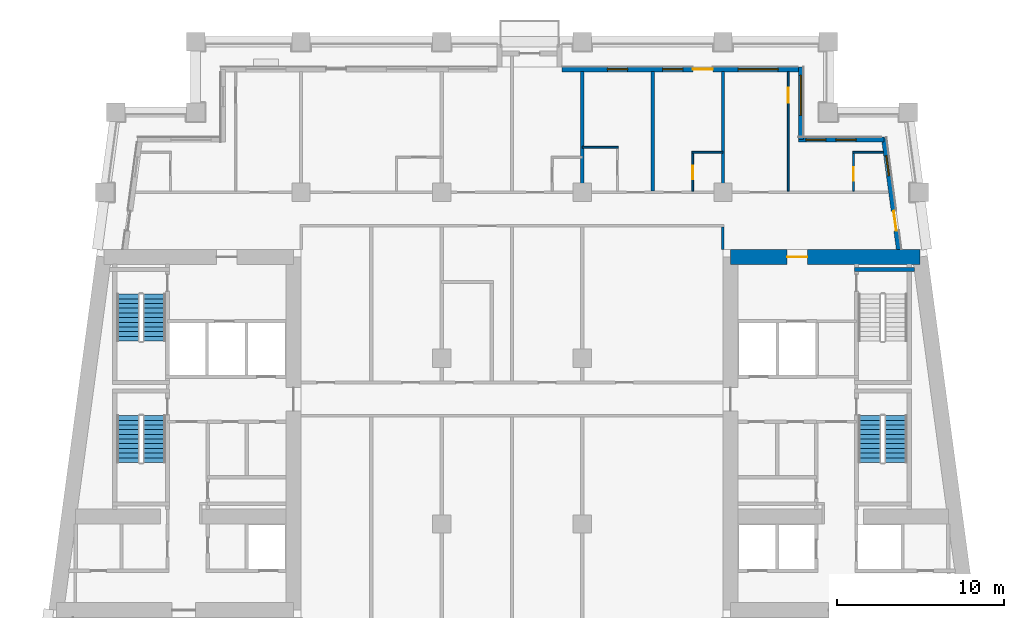
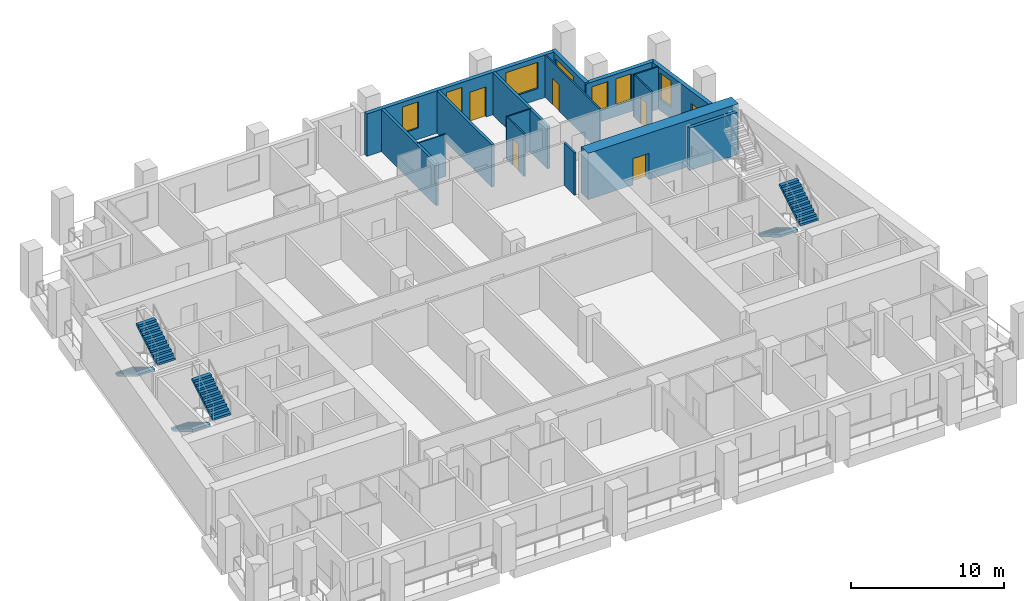
# One storey, part 8 of 14: 16 walls, 7 windows, 6 doors, 6 stair flights, 13 openings, 3 elements without a shape of their own.
"""IFC4 building model written with IfcOpenShell, lengths in metres."""

from ifc_helpers import new_model, si_unit, direction, frame, frame_2d, origin, place, context, subcontext, project, spatial, polyline, rectangle, outline, extrude, material, layer, layer_set, type_object, element, fill, aggregate, save


model = new_model("IFC4")

# Units and contexts
model_context = context("Model", 3, precision=1e-05, world=origin(), true_north=direction((0.0, 1.0)))
body_context = subcontext(model_context, "Body", "Model", "MODEL_VIEW")
ifc_project = project(units=[si_unit("LENGTHUNIT", "METRE"), si_unit("AREAUNIT", "SQUARE_METRE"), si_unit("VOLUMEUNIT", "CUBIC_METRE"), si_unit("PLANEANGLEUNIT", "RADIAN"), si_unit("MASSUNIT", "GRAM", prefix="KILO")], contexts=[model_context])

# Site, building, storey
site_placement = place(None, origin())
site = spatial("IfcSite", under=ifc_project, at=site_placement, CompositionType="ELEMENT")
building_placement = place(site_placement, origin())
building = spatial("IfcBuilding", under=site, at=building_placement, Name="Candeia Pilgrim Tower and Theatre", CompositionType="ELEMENT")
storey_placement = place(building_placement, frame((0.0, 0.0, 173.699951171875)))
storey = spatial("IfcBuildingStorey", under=building, at=storey_placement, Name="L41", CompositionType="ELEMENT", Elevation=173.699951171875)

# Wall, opening, door
ifc_material_1 = material(Name="Concrete C60/75", Category="concrete")
ifc_layer_1 = layer(ifc_material_1, 0.89990234375)
ifc_layer_set_1 = layer_set([ifc_layer_1], Name="Core wall 900 C60/75")
wall_type_1 = type_object("IfcWallType", Name="Core wall 900 C60/75", PredefinedType="SHEAR", material=ifc_layer_set_1)
wall_1_placement = place(storey_placement, frame((126.449951171875, 131.949951171875, 0.0), z_axis=(0.0, 0.0, 1.0), x_axis=(1.0, 0.0, 0.0)))
wall_1 = element("IfcWall", 1, at=wall_1_placement, inside=storey, type_object=wall_type_1, Name="Core wall E1", PredefinedType="SHEAR", context=body_context, shape_type="SweptSolid", body=[
    extrude(rectangle(XDim=11.32568359375, YDim=0.89990234375, at=frame_2d((5.662841796875, 0.0))), origin(), (0.0, 0.0, 1.0), 3.699951171875),
])
opening_1_placement = place(wall_1_placement, frame((3.386474609375, 0.0, 0.0)))
opening_1 = element("IfcOpeningElement", 2, at=opening_1_placement, cuts=wall_1, Name="Opening L41-D068", PredefinedType="OPENING", context=body_context, shape_type="SweptSolid", body=[
    extrude(rectangle(XDim=1.199951171875, YDim=2.10009765625, at=frame_2d((0.60009765625, 1.050048828125))), frame((0.0, 0.4599609375, 0.0), z_axis=(0.0, -1.0, 0.0), x_axis=(1.0, 0.0, 0.0)), (0.0, 0.0, 1.0), 0.919921875),
])
ifc_material_2 = material(Name="Steel fire door set", Category="steel")
door_type_1 = type_object("IfcDoorType", Name="D-1200-FD60", OperationType="NOTDEFINED", PredefinedType="DOOR", material=ifc_material_2)
door_1_placement = place(opening_1_placement, origin())
door_1 = element("IfcDoor", 3, at=door_1_placement, inside=storey, type_object=door_type_1, Name="Door L41-D068", OperationType="SINGLE_SWING_LEFT", OverallHeight=2.10009765625, OverallWidth=1.199951171875, PredefinedType="DOOR", context=body_context, shape_type="SweptSolid", body=[
    extrude(rectangle(XDim=1.199951171875, YDim=2.10009765625, at=frame_2d((0.60009765625, 1.050048828125))), frame((0.0, 0.02490234375, 0.0), z_axis=(0.0, -1.0, 0.0), x_axis=(1.0, 0.0, 0.0)), (0.0, 0.0, 1.0), 0.050048828125),
])
fill(opening_1, door_1)

# Wall, openings, door, window
ifc_material_3 = material(Name="Ceramic block masonry", Category="masonry")
ifc_layer_2 = layer(ifc_material_3, 0.300048828125)
ifc_layer_set_2 = layer_set([ifc_layer_2], Name="EW1 glazing-line wall 300")
wall_type_2 = type_object("IfcWallType", Name="EW1 glazing-line wall 300", PredefinedType="SOLIDWALL", material=ifc_layer_set_2)
wall_2_placement = place(storey_placement, frame((136.50439453125, 132.39990234375, 0.0), z_axis=(0.0, 0.0, 1.0), x_axis=(-0.133399697462, 0.99106231929, 0.0)))
wall_2 = element("IfcWall", 4, at=wall_2_placement, inside=storey, type_object=wall_type_2, Name="External wall L41-3.1", PredefinedType="SOLIDWALL", context=body_context, shape_type="SweptSolid", body=[
    extrude(rectangle(XDim=6.740478515625, YDim=0.300048828125, at=frame_2d((3.3701171875, 0.0))), origin(), (0.0, 0.0, 1.0), 3.380126953125),
])
opening_2_placement = place(wall_2_placement, frame((1.115234375, 0.0, 0.0)))
opening_2 = element("IfcOpeningElement", 5, at=opening_2_placement, cuts=wall_2, Name="Opening L41-ED395", PredefinedType="OPENING", context=body_context, shape_type="SweptSolid", body=[
    extrude(rectangle(XDim=1.199951171875, YDim=2.39990234375, at=frame_2d((0.60009765625, 1.199951171875))), frame((0.0, 0.16015625, 0.0), z_axis=(0.0, -1.0, 0.0), x_axis=(1.0, 0.0, 0.0)), (0.0, 0.0, 1.0), 0.320068359375),
])
opening_3_placement = place(wall_2_placement, frame((4.435546875, 0.0, 0.89990234375)))
opening_3 = element("IfcOpeningElement", 6, at=opening_3_placement, cuts=wall_2, Name="Opening W-B", PredefinedType="OPENING", context=body_context, shape_type="SweptSolid", body=[
    extrude(rectangle(XDim=1.199951171875, YDim=2.10009765625, at=frame_2d((0.60009765625, 1.050048828125))), frame((0.0, 0.16015625, 0.0), z_axis=(0.0, -1.0, 0.0), x_axis=(1.0, 0.0, 0.0)), (0.0, 0.0, 1.0), 0.320068359375),
])
ifc_material_4 = material(Name="Aluminium framed glazed door", Category="aluminium")
door_type_2 = type_object("IfcDoorType", Name="Loggia door 1200x2400", OperationType="DOUBLE_DOOR_SINGLE_SWING", PredefinedType="DOOR", material=ifc_material_4)
door_2_placement = place(opening_2_placement, origin())
door_2 = element("IfcDoor", 7, at=door_2_placement, inside=storey, type_object=door_type_2, Name="Loggia door L41-ED395", OperationType="DOUBLE_DOOR_SINGLE_SWING", OverallHeight=2.39990234375, OverallWidth=1.199951171875, PredefinedType="DOOR", context=body_context, shape_type="SweptSolid", body=[
    extrude(rectangle(XDim=1.199951171875, YDim=2.39990234375, at=frame_2d((0.60009765625, 1.199951171875))), frame((0.0, 0.02490234375, 0.0), z_axis=(0.0, -1.0, 0.0), x_axis=(1.0, 0.0, 0.0)), (0.0, 0.0, 1.0), 0.050048828125),
])
fill(opening_2, door_2)
ifc_material_5 = material(Name="Aluminium framed double glazing", Category="aluminium")
window_type_1 = type_object("IfcWindowType", Name="W-B window 1200x2100", PartitioningType="SINGLE_PANEL", PredefinedType="WINDOW", material=ifc_material_5)
window_1_placement = place(opening_3_placement, origin())
window_1 = element("IfcWindow", 8, at=window_1_placement, inside=storey, type_object=window_type_1, Name="Window W-B L41", OverallHeight=2.10009765625, OverallWidth=1.199951171875, PartitioningType="SINGLE_PANEL", PredefinedType="WINDOW", context=body_context, shape_type="SweptSolid", body=[
    extrude(rectangle(XDim=1.199951171875, YDim=2.10009765625, at=frame_2d((0.60009765625, 1.050048828125))), frame((0.0, 0.030029296875, 0.0), z_axis=(0.0, -1.0, 0.0), x_axis=(1.0, 0.0, 0.0)), (0.0, 0.0, 1.0), 0.06005859375),
])
fill(opening_3, window_1)

# Wall, openings, windows
wall_3_placement = place(storey_placement, frame((135.62255859375, 138.949951171875, 0.0), z_axis=(0.0, 0.0, 1.0), x_axis=(-1.0, 0.0, 0.0)))
wall_3 = element("IfcWall", 9, at=wall_3_placement, inside=storey, type_object=wall_type_2, Name="External wall L41-4.0", PredefinedType="SOLIDWALL", context=body_context, shape_type="SweptSolid", body=[
    extrude(rectangle(XDim=5.12255859375, YDim=0.300048828125, at=frame_2d((2.561279296875, 0.0))), origin(), (0.0, 0.0, 1.0), 3.380126953125),
])
opening_4_placement = place(wall_3_placement, frame((1.672607421875, 0.0, 0.89990234375)))
opening_4 = element("IfcOpeningElement", 10, at=opening_4_placement, cuts=wall_3, Name="Opening W-B", PredefinedType="OPENING", context=body_context, shape_type="SweptSolid", body=[
    extrude(rectangle(XDim=1.199951171875, YDim=2.10009765625, at=frame_2d((0.60009765625, 1.050048828125))), frame((0.0, 0.16015625, 0.0), z_axis=(0.0, -1.0, 0.0), x_axis=(1.0, 0.0, 0.0)), (0.0, 0.0, 1.0), 0.320068359375),
])
opening_5_placement = place(wall_3_placement, frame((3.47265625, 0.0, 0.89990234375)))
opening_5 = element("IfcOpeningElement", 11, at=opening_5_placement, cuts=wall_3, Name="Opening W-B", PredefinedType="OPENING", context=body_context, shape_type="SweptSolid", body=[
    extrude(rectangle(XDim=1.199951171875, YDim=2.10009765625, at=frame_2d((0.60009765625, 1.050048828125))), frame((0.0, 0.16015625, 0.0), z_axis=(0.0, -1.0, 0.0), x_axis=(1.0, 0.0, 0.0)), (0.0, 0.0, 1.0), 0.320068359375),
])
window_2_placement = place(opening_4_placement, origin())
window_2 = element("IfcWindow", 12, at=window_2_placement, inside=storey, type_object=window_type_1, Name="Window W-B L41", OverallHeight=2.10009765625, OverallWidth=1.199951171875, PartitioningType="SINGLE_PANEL", PredefinedType="WINDOW", context=body_context, shape_type="SweptSolid", body=[
    extrude(rectangle(XDim=1.199951171875, YDim=2.10009765625, at=frame_2d((0.60009765625, 1.050048828125))), frame((0.0, 0.030029296875, 0.0), z_axis=(0.0, -1.0, 0.0), x_axis=(1.0, 0.0, 0.0)), (0.0, 0.0, 1.0), 0.06005859375),
])
fill(opening_4, window_2)
window_3_placement = place(opening_5_placement, origin())
window_3 = element("IfcWindow", 13, at=window_3_placement, inside=storey, type_object=window_type_1, Name="Window W-B L41", OverallHeight=2.10009765625, OverallWidth=1.199951171875, PartitioningType="SINGLE_PANEL", PredefinedType="WINDOW", context=body_context, shape_type="SweptSolid", body=[
    extrude(rectangle(XDim=1.199951171875, YDim=2.10009765625, at=frame_2d((0.60009765625, 1.050048828125))), frame((0.0, 0.030029296875, 0.0), z_axis=(0.0, -1.0, 0.0), x_axis=(1.0, 0.0, 0.0)), (0.0, 0.0, 1.0), 0.06005859375),
])
fill(opening_5, window_3)

# Wall, opening, window
wall_4_placement = place(storey_placement, frame((130.64990234375, 138.949951171875, 0.0), z_axis=(0.0, 0.0, 1.0), x_axis=(0.0, 1.0, 0.0)))
wall_4 = element("IfcWall", 14, at=wall_4_placement, inside=storey, type_object=wall_type_2, Name="External wall L41-5.0", PredefinedType="SOLIDWALL", context=body_context, shape_type="SweptSolid", body=[
    extrude(rectangle(XDim=4.35009765625, YDim=0.300048828125, at=frame_2d((2.175048828125, 0.0))), origin(), (0.0, 0.0, 1.0), 3.380126953125),
])
opening_6_placement = place(wall_4_placement, frame((1.449951171875, 0.0, 0.89990234375)))
opening_6 = element("IfcOpeningElement", 15, at=opening_6_placement, cuts=wall_4, Name="Opening W-A", PredefinedType="OPENING", context=body_context, shape_type="SweptSolid", body=[
    extrude(rectangle(XDim=2.39990234375, YDim=2.10009765625, at=frame_2d((1.199951171875, 1.050048828125))), frame((0.0, 0.16015625, 0.0), z_axis=(0.0, -1.0, 0.0), x_axis=(1.0, 0.0, 0.0)), (0.0, 0.0, 1.0), 0.320068359375),
])
window_type_2 = type_object("IfcWindowType", Name="W-A window 2400x2100", PartitioningType="DOUBLE_PANEL_VERTICAL", PredefinedType="WINDOW", material=ifc_material_5)
window_4_placement = place(opening_6_placement, origin())
window_4 = element("IfcWindow", 16, at=window_4_placement, inside=storey, type_object=window_type_2, Name="Window W-A L41", OverallHeight=2.10009765625, OverallWidth=2.39990234375, PartitioningType="SINGLE_PANEL", PredefinedType="WINDOW", context=body_context, shape_type="SweptSolid", body=[
    extrude(rectangle(XDim=2.39990234375, YDim=2.10009765625, at=frame_2d((1.199951171875, 1.050048828125))), frame((0.0, 0.030029296875, 0.0), z_axis=(0.0, -1.0, 0.0), x_axis=(1.0, 0.0, 0.0)), (0.0, 0.0, 1.0), 0.06005859375),
])
fill(opening_6, window_4)

# Wall, openings, door, windows
wall_5_placement = place(storey_placement, frame((130.64990234375, 143.14990234375, 0.0), z_axis=(0.0, 0.0, 1.0), x_axis=(-1.0, 0.0, 0.0)))
wall_5 = element("IfcWall", 17, at=wall_5_placement, inside=storey, type_object=wall_type_2, Name="External wall L41-6.0", PredefinedType="SOLIDWALL", context=body_context, shape_type="SweptSolid", body=[
    extrude(rectangle(XDim=14.25, YDim=0.300048828125, at=frame_2d((7.125, 0.0))), origin(), (0.0, 0.0, 1.0), 3.380126953125),
])
opening_7_placement = place(wall_5_placement, frame((1.35009765625, 0.0, 0.89990234375)))
opening_7 = element("IfcOpeningElement", 18, at=opening_7_placement, cuts=wall_5, Name="Opening W-A", PredefinedType="OPENING", context=body_context, shape_type="SweptSolid", body=[
    extrude(rectangle(XDim=2.39990234375, YDim=2.10009765625, at=frame_2d((1.199951171875, 1.050048828125))), frame((0.0, 0.16015625, 0.0), z_axis=(0.0, -1.0, 0.0), x_axis=(1.0, 0.0, 0.0)), (0.0, 0.0, 1.0), 0.320068359375),
])
opening_8_placement = place(wall_5_placement, frame((5.25, 0.0, 0.0)))
opening_8 = element("IfcOpeningElement", 19, at=opening_8_placement, cuts=wall_5, Name="Opening L41-ED396", PredefinedType="OPENING", context=body_context, shape_type="SweptSolid", body=[
    extrude(rectangle(XDim=1.199951171875, YDim=2.39990234375, at=frame_2d((0.60009765625, 1.199951171875))), frame((0.0, 0.16015625, 0.0), z_axis=(0.0, -1.0, 0.0), x_axis=(1.0, 0.0, 0.0)), (0.0, 0.0, 1.0), 0.320068359375),
])
opening_9_placement = place(wall_5_placement, frame((7.050048828125, 0.0, 0.89990234375)))
opening_9 = element("IfcOpeningElement", 20, at=opening_9_placement, cuts=wall_5, Name="Opening W-B", PredefinedType="OPENING", context=body_context, shape_type="SweptSolid", body=[
    extrude(rectangle(XDim=1.199951171875, YDim=2.10009765625, at=frame_2d((0.60009765625, 1.050048828125))), frame((0.0, 0.16015625, 0.0), z_axis=(0.0, -1.0, 0.0), x_axis=(1.0, 0.0, 0.0)), (0.0, 0.0, 1.0), 0.320068359375),
])
opening_10_placement = place(wall_5_placement, frame((10.35009765625, 0.0, 0.89990234375)))
opening_10 = element("IfcOpeningElement", 21, at=opening_10_placement, cuts=wall_5, Name="Opening W-B", PredefinedType="OPENING", context=body_context, shape_type="SweptSolid", body=[
    extrude(rectangle(XDim=1.199951171875, YDim=2.10009765625, at=frame_2d((0.60009765625, 1.050048828125))), frame((0.0, 0.16015625, 0.0), z_axis=(0.0, -1.0, 0.0), x_axis=(1.0, 0.0, 0.0)), (0.0, 0.0, 1.0), 0.320068359375),
])
door_3_placement = place(opening_8_placement, origin())
door_3 = element("IfcDoor", 22, at=door_3_placement, inside=storey, type_object=door_type_2, Name="Loggia door L41-ED396", OperationType="DOUBLE_DOOR_SINGLE_SWING", OverallHeight=2.39990234375, OverallWidth=1.199951171875, PredefinedType="DOOR", context=body_context, shape_type="SweptSolid", body=[
    extrude(rectangle(XDim=1.199951171875, YDim=2.39990234375, at=frame_2d((0.60009765625, 1.199951171875))), frame((0.0, 0.02490234375, 0.0), z_axis=(0.0, -1.0, 0.0), x_axis=(1.0, 0.0, 0.0)), (0.0, 0.0, 1.0), 0.050048828125),
])
fill(opening_8, door_3)
window_5_placement = place(opening_7_placement, origin())
window_5 = element("IfcWindow", 23, at=window_5_placement, inside=storey, type_object=window_type_2, Name="Window W-A L41", OverallHeight=2.10009765625, OverallWidth=2.39990234375, PartitioningType="SINGLE_PANEL", PredefinedType="WINDOW", context=body_context, shape_type="SweptSolid", body=[
    extrude(rectangle(XDim=2.39990234375, YDim=2.10009765625, at=frame_2d((1.199951171875, 1.050048828125))), frame((0.0, 0.030029296875, 0.0), z_axis=(0.0, -1.0, 0.0), x_axis=(1.0, 0.0, 0.0)), (0.0, 0.0, 1.0), 0.06005859375),
])
fill(opening_7, window_5)
window_6_placement = place(opening_9_placement, origin())
window_6 = element("IfcWindow", 24, at=window_6_placement, inside=storey, type_object=window_type_1, Name="Window W-B L41", OverallHeight=2.10009765625, OverallWidth=1.199951171875, PartitioningType="SINGLE_PANEL", PredefinedType="WINDOW", context=body_context, shape_type="SweptSolid", body=[
    extrude(rectangle(XDim=1.199951171875, YDim=2.10009765625, at=frame_2d((0.60009765625, 1.050048828125))), frame((0.0, 0.030029296875, 0.0), z_axis=(0.0, -1.0, 0.0), x_axis=(1.0, 0.0, 0.0)), (0.0, 0.0, 1.0), 0.06005859375),
])
fill(opening_9, window_6)
window_7_placement = place(opening_10_placement, origin())
window_7 = element("IfcWindow", 25, at=window_7_placement, inside=storey, type_object=window_type_1, Name="Window W-B L41", OverallHeight=2.10009765625, OverallWidth=1.199951171875, PartitioningType="SINGLE_PANEL", PredefinedType="WINDOW", context=body_context, shape_type="SweptSolid", body=[
    extrude(rectangle(XDim=1.199951171875, YDim=2.10009765625, at=frame_2d((0.60009765625, 1.050048828125))), frame((0.0, 0.030029296875, 0.0), z_axis=(0.0, -1.0, 0.0), x_axis=(1.0, 0.0, 0.0)), (0.0, 0.0, 1.0), 0.06005859375),
])
fill(opening_10, window_7)

# Walls
ifc_material_6 = material(Name="Gypsum board partition on steel studs", Category="steel")
ifc_layer_3 = layer(ifc_material_6, 0.10009765625)
ifc_layer_set_3 = layer_set([ifc_layer_3], Name="PW-100 room partition")
wall_type_3 = type_object("IfcWallType", Name="PW-100 room partition", PredefinedType="PARTITIONING", material=ifc_layer_set_3)
wall_6_placement = place(storey_placement, frame((124.14990234375, 138.199951171875, 0.0), z_axis=(0.0, 0.0, 1.0), x_axis=(1.0, 0.0, 0.0)))
element("IfcWall", 26, at=wall_6_placement, inside=storey, type_object=wall_type_3, Name="Room partition L41-049", PredefinedType="PARTITIONING", context=body_context, shape_type="SweptSolid", body=[
    extrude(rectangle(XDim=1.85009765625, YDim=0.10009765625, at=frame_2d((0.925048828125, 0.0))), origin(), (0.0, 0.0, 1.0), 3.380126953125),
])
wall_7_placement = place(storey_placement, frame((133.75, 138.199951171875, 0.0), z_axis=(0.0, 0.0, 1.0), x_axis=(1.0, 0.0, 0.0)))
element("IfcWall", 27, at=wall_7_placement, inside=storey, type_object=wall_type_3, Name="Room partition L41-050", PredefinedType="PARTITIONING", context=body_context, shape_type="SweptSolid", body=[
    extrude(rectangle(XDim=1.832275390625, YDim=0.10009765625, at=frame_2d((0.916015625, 0.0))), origin(), (0.0, 0.0, 1.0), 3.380126953125),
])
wall_8_placement = place(storey_placement, frame((117.60009765625, 138.5, 0.0), z_axis=(0.0, 0.0, 1.0), x_axis=(1.0, 0.0, 0.0)))
element("IfcWall", 28, at=wall_8_placement, inside=storey, type_object=wall_type_3, Name="Room partition L41-051", PredefinedType="PARTITIONING", context=body_context, shape_type="SweptSolid", body=[
    extrude(rectangle(XDim=2.14990234375, YDim=0.10009765625, at=frame_2d((1.074951171875, 0.0))), origin(), (0.0, 0.0, 1.0), 3.380126953125),
])

# Wall, opening, door
wall_9_placement = place(storey_placement, frame((124.199951171875, 135.875, 0.0), z_axis=(0.0, 0.0, 1.0), x_axis=(0.0, 1.0, 0.0)))
wall_9 = element("IfcWall", 29, at=wall_9_placement, inside=storey, type_object=wall_type_3, Name="Room partition L41-104", PredefinedType="PARTITIONING", context=body_context, shape_type="SweptSolid", body=[
    extrude(rectangle(XDim=2.27490234375, YDim=0.10009765625, at=frame_2d((1.137451171875, 0.0))), origin(), (0.0, 0.0, 1.0), 3.380126953125),
])
opening_11_placement = place(wall_9_placement, frame((0.72509765625, 0.0, 0.0)))
opening_11 = element("IfcOpeningElement", 30, at=opening_11_placement, cuts=wall_9, Name="Opening L41-D049", PredefinedType="OPENING", context=body_context, shape_type="SweptSolid", body=[
    extrude(rectangle(XDim=0.800048828125, YDim=2.10009765625, at=frame_2d((0.39990234375, 1.050048828125))), frame((0.0, 0.06005859375, 0.0), z_axis=(0.0, -1.0, 0.0), x_axis=(1.0, 0.0, 0.0)), (0.0, 0.0, 1.0), 0.1201171875),
])
ifc_material_7 = material(Name="Timber door leaf", Category="wood")
door_type_3 = type_object("IfcDoorType", Name="D-800", OperationType="NOTDEFINED", PredefinedType="DOOR", material=ifc_material_7)
door_4_placement = place(opening_11_placement, origin())
door_4 = element("IfcDoor", 31, at=door_4_placement, inside=storey, type_object=door_type_3, Name="Door L41-D049", OperationType="SINGLE_SWING_RIGHT", OverallHeight=2.10009765625, OverallWidth=0.800048828125, PredefinedType="DOOR", context=body_context, shape_type="SweptSolid", body=[
    extrude(rectangle(XDim=0.800048828125, YDim=2.10009765625, at=frame_2d((0.39990234375, 1.050048828125))), frame((0.0, 0.02490234375, 0.0), z_axis=(0.0, -1.0, 0.0), x_axis=(1.0, 0.0, 0.0)), (0.0, 0.0, 1.0), 0.050048828125),
])
fill(opening_11, door_4)

wall_10_placement = place(storey_placement, frame((129.89990234375, 135.875, 0.0), z_axis=(0.0, 0.0, 1.0), x_axis=(0.0, 1.0, 0.0)))
wall_10 = element("IfcWall", 32, at=wall_10_placement, inside=storey, type_object=wall_type_3, Name="Room partition L41-113", PredefinedType="PARTITIONING", context=body_context, shape_type="SweptSolid", body=[
    extrude(rectangle(XDim=7.135009765625, YDim=0.10009765625, at=frame_2d((3.5673828125, 0.0))), origin(), (0.0, 0.0, 1.0), 3.380126953125),
])
opening_12_placement = place(wall_10_placement, frame((5.2900390625, 0.0, 0.0)))
opening_12 = element("IfcOpeningElement", 33, at=opening_12_placement, cuts=wall_10, Name="Opening L41-D051", PredefinedType="OPENING", context=body_context, shape_type="SweptSolid", body=[
    extrude(rectangle(XDim=0.89990234375, YDim=2.10009765625, at=frame_2d((0.449951171875, 1.050048828125))), frame((0.0, 0.06005859375, 0.0), z_axis=(0.0, -1.0, 0.0), x_axis=(1.0, 0.0, 0.0)), (0.0, 0.0, 1.0), 0.1201171875),
])
door_type_4 = type_object("IfcDoorType", Name="D-900", OperationType="NOTDEFINED", PredefinedType="DOOR", material=ifc_material_7)
door_5_placement = place(opening_12_placement, origin())
door_5 = element("IfcDoor", 34, at=door_5_placement, inside=storey, type_object=door_type_4, Name="Door L41-D051", OperationType="SINGLE_SWING_RIGHT", OverallHeight=2.10009765625, OverallWidth=0.89990234375, PredefinedType="DOOR", context=body_context, shape_type="SweptSolid", body=[
    extrude(rectangle(XDim=0.89990234375, YDim=2.10009765625, at=frame_2d((0.449951171875, 1.050048828125))), frame((0.0, 0.02490234375, 0.0), z_axis=(0.0, -1.0, 0.0), x_axis=(1.0, 0.0, 0.0)), (0.0, 0.0, 1.0), 0.050048828125),
])
fill(opening_12, door_5)

wall_11_placement = place(storey_placement, frame((133.800048828125, 135.875, 0.0), z_axis=(0.0, 0.0, 1.0), x_axis=(0.0, 1.0, 0.0)))
wall_11 = element("IfcWall", 35, at=wall_11_placement, inside=storey, type_object=wall_type_3, Name="Room partition L41-120", PredefinedType="PARTITIONING", context=body_context, shape_type="SweptSolid", body=[
    extrude(rectangle(XDim=2.27490234375, YDim=0.10009765625, at=frame_2d((1.137451171875, 0.0))), origin(), (0.0, 0.0, 1.0), 3.380126953125),
])
opening_13_placement = place(wall_11_placement, frame((0.635009765625, 0.0, 0.0)))
opening_13 = element("IfcOpeningElement", 36, at=opening_13_placement, cuts=wall_11, Name="Opening L41-D052", PredefinedType="OPENING", context=body_context, shape_type="SweptSolid", body=[
    extrude(rectangle(XDim=0.800048828125, YDim=2.10009765625, at=frame_2d((0.39990234375, 1.050048828125))), frame((0.0, 0.06005859375, 0.0), z_axis=(0.0, -1.0, 0.0), x_axis=(1.0, 0.0, 0.0)), (0.0, 0.0, 1.0), 0.1201171875),
])
door_6_placement = place(opening_13_placement, origin())
door_6 = element("IfcDoor", 37, at=door_6_placement, inside=storey, type_object=door_type_3, Name="Door L41-D052", OperationType="SINGLE_SWING_LEFT", OverallHeight=2.10009765625, OverallWidth=0.800048828125, PredefinedType="DOOR", context=body_context, shape_type="SweptSolid", body=[
    extrude(rectangle(XDim=0.800048828125, YDim=2.10009765625, at=frame_2d((0.39990234375, 1.050048828125))), frame((0.0, 0.02490234375, 0.0), z_axis=(0.0, -1.0, 0.0), x_axis=(1.0, 0.0, 0.0)), (0.0, 0.0, 1.0), 0.050048828125),
])
fill(opening_13, door_6)

# Walls
ifc_layer_4 = layer(ifc_material_6, 0.14990234375)
ifc_layer_set_4 = layer_set([ifc_layer_4], Name="PW-150 unit wall")
wall_type_4 = type_object("IfcWallType", Name="PW-150 unit wall", PredefinedType="PARTITIONING", material=ifc_layer_set_4)
wall_12_placement = place(storey_placement, frame((126.0, 132.39990234375, 0.0), z_axis=(0.0, 0.0, 1.0), x_axis=(0.0, 1.0, 0.0)))
element("IfcWall", 38, at=wall_12_placement, inside=storey, type_object=wall_type_4, Name="Unit wall L41-108", PredefinedType="PARTITIONING", context=body_context, shape_type="SweptSolid", body=[
    extrude(rectangle(XDim=1.3251953125, YDim=0.14990234375, at=frame_2d((0.66259765625, 0.0))), origin(), (0.0, 0.0, 1.0), 3.380126953125),
])
ifc_layer_5 = layer(ifc_material_6, 0.199951171875)
ifc_layer_set_5 = layer_set([ifc_layer_5], Name="PW-200 party wall")
wall_type_5 = type_object("IfcWallType", Name="PW-200 party wall", PredefinedType="PARTITIONING", material=ifc_layer_set_5)
for number, where, z_axis, x_axis, name in (
    (39, (117.60009765625, 135.875, 0.0), (0.0, 0.0, 1.0), (0.0, 1.0, 0.0), "Party wall L41-098"),
    (40, (121.800048828125, 135.875, 0.0), (0.0, 0.0, 1.0), (0.0, 1.0, 0.0), "Party wall L41-102"),
    (41, (126.0, 135.875, 0.0), (0.0, 0.0, 1.0), (0.0, 1.0, 0.0), "Party wall L41-106"),
):
    element("IfcWall", number, at=place(storey_placement, frame(where, z_axis=z_axis, x_axis=x_axis)), inside=storey, type_object=wall_type_5, Name=name, PredefinedType="PARTITIONING", context=body_context, shape_type="SweptSolid", body=[
        extrude(rectangle(XDim=7.135009765625, YDim=0.199951171875, at=frame_2d((3.5673828125, 0.0))), origin(), (0.0, 0.0, 1.0), 3.380126953125),
    ])
ifc_material_8 = material(Name="Concrete C40/50", Category="concrete")
ifc_layer_6 = layer(ifc_material_8, 0.25)
ifc_layer_set_6 = layer_set([ifc_layer_6], Name="SW-250 stair wall")
wall_type_6 = type_object("IfcWallType", Name="SW-250 stair wall", PredefinedType="PARTITIONING", material=ifc_layer_set_6)
wall_13_placement = place(storey_placement, frame((133.847900390625, 131.199951171875, 0.0), z_axis=(0.0, 0.0, 1.0), x_axis=(1.0, 0.0, 0.0)))
element("IfcWall", 42, at=wall_13_placement, inside=storey, type_object=wall_type_6, Name="Stair wall L41-043", PredefinedType="PARTITIONING", context=body_context, shape_type="SweptSolid", body=[
    extrude(rectangle(XDim=3.604736328125, YDim=0.25, at=frame_2d((1.80224609375, 0.0))), origin(), (0.0, 0.0, 1.0), 3.380126953125),
])

# Stair, stair flights
stair_type = type_object("IfcStairType", Name="ST-TWR dog-leg escape stair", PredefinedType="HALF_TURN_STAIR", material=ifc_material_8)
stair_1_placement = place(storey_placement, origin())
stair_1 = element("IfcStair", 43, at=stair_1_placement, inside=storey, type_object=stair_type, Name="L41 Escape stair ST1", PredefinedType="HALF_TURN_STAIR")
stair_flight_type = type_object("IfcStairFlightType", Name="SFL-RC stair flight", PredefinedType="STRAIGHT", material=ifc_material_8)
stair_flight_1_placement = place(storey_placement, frame((90.47705078125, 122.47509765625, 0.0), z_axis=(0.0, 0.0, 1.0), x_axis=(0.0, -1.0, 0.0)))
stair_flight_1 = element("IfcStairFlight", 44, at=stair_flight_1_placement, type_object=stair_flight_type, Name="ST1 flight 1", NumberOfRisers=11, NumberOfTreads=10, PredefinedType="STRAIGHT", RiserHeight=0.168181818, TreadLength=0.28, context=body_context, shape_type="SweptSolid", body=[
    extrude(outline(polyline([(0.0, 0.0), (0.0, 0.168212890625), (0.280029296875, 0.168212890625), (0.280029296875, 0.33642578125), (0.56005859375, 0.33642578125), (0.56005859375, 0.504638671875), (0.840087890625, 0.504638671875), (0.840087890625, 0.672607421875), (1.1201171875, 0.672607421875), (1.1201171875, 0.8408203125), (1.39990234375, 0.8408203125), (1.39990234375, 1.009033203125), (1.679931640625, 1.009033203125), (1.679931640625, 1.17724609375), (1.9599609375, 1.17724609375), (1.9599609375, 1.345458984375), (2.239990234375, 1.345458984375), (2.239990234375, 1.513671875), (2.52001953125, 1.513671875), (2.52001953125, 1.681884765625), (2.800048828125, 1.681884765625), (2.800048828125, 1.85009765625), (2.800048828125, 1.5068359375), (0.291015625, 0.0), (0.0, 0.0)])), frame((0.0, 0.675048828125, 0.0), z_axis=(0.0, -1.0, 0.0), x_axis=(1.0, 0.0, 0.0)), (0.0, 0.0, 1.0), 1.35009765625),
])
stair_flight_2_placement = place(storey_placement, frame((92.027099609375, 119.675048828125, 1.85009765625), z_axis=(0.0, 0.0, 1.0), x_axis=(0.0, 1.0, 0.0)))
stair_flight_2 = element("IfcStairFlight", 45, at=stair_flight_2_placement, type_object=stair_flight_type, Name="ST1 flight 2", NumberOfRisers=11, NumberOfTreads=10, PredefinedType="STRAIGHT", RiserHeight=0.168181818, TreadLength=0.28, context=body_context, shape_type="SweptSolid", body=[
    extrude(outline(polyline([(0.0, 0.0), (0.0, 0.168212890625), (0.280029296875, 0.168212890625), (0.280029296875, 0.33642578125), (0.56005859375, 0.33642578125), (0.56005859375, 0.504638671875), (0.840087890625, 0.504638671875), (0.840087890625, 0.672607421875), (1.1201171875, 0.672607421875), (1.1201171875, 0.8408203125), (1.39990234375, 0.8408203125), (1.39990234375, 1.009033203125), (1.679931640625, 1.009033203125), (1.679931640625, 1.17724609375), (1.9599609375, 1.17724609375), (1.9599609375, 1.345458984375), (2.239990234375, 1.345458984375), (2.239990234375, 1.513671875), (2.52001953125, 1.513671875), (2.52001953125, 1.681884765625), (2.800048828125, 1.681884765625), (2.800048828125, 1.85009765625), (2.800048828125, 1.5068359375), (0.291015625, 0.0), (0.0, 0.0)])), frame((0.0, 0.675048828125, 0.0), z_axis=(0.0, -1.0, 0.0), x_axis=(1.0, 0.0, 0.0)), (0.0, 0.0, 1.0), 1.35009765625),
])
aggregate(stair_1, [stair_flight_1, stair_flight_2])

stair_2_placement = place(storey_placement, origin())
stair_2 = element("IfcStair", 46, at=stair_2_placement, inside=storey, type_object=stair_type, Name="L41 Escape stair ST2", PredefinedType="HALF_TURN_STAIR")
stair_flight_3_placement = place(storey_placement, frame((90.47705078125, 129.72509765625, 0.0), z_axis=(0.0, 0.0, 1.0), x_axis=(0.0, -1.0, 0.0)))
stair_flight_3 = element("IfcStairFlight", 47, at=stair_flight_3_placement, type_object=stair_flight_type, Name="ST2 flight 1", NumberOfRisers=11, NumberOfTreads=10, PredefinedType="STRAIGHT", RiserHeight=0.168181818, TreadLength=0.28, context=body_context, shape_type="SweptSolid", body=[
    extrude(outline(polyline([(0.0, 0.0), (0.0, 0.168212890625), (0.280029296875, 0.168212890625), (0.280029296875, 0.33642578125), (0.56005859375, 0.33642578125), (0.56005859375, 0.504638671875), (0.840087890625, 0.504638671875), (0.840087890625, 0.672607421875), (1.1201171875, 0.672607421875), (1.1201171875, 0.8408203125), (1.39990234375, 0.8408203125), (1.39990234375, 1.009033203125), (1.679931640625, 1.009033203125), (1.679931640625, 1.17724609375), (1.9599609375, 1.17724609375), (1.9599609375, 1.345458984375), (2.239990234375, 1.345458984375), (2.239990234375, 1.513671875), (2.52001953125, 1.513671875), (2.52001953125, 1.681884765625), (2.800048828125, 1.681884765625), (2.800048828125, 1.85009765625), (2.800048828125, 1.5068359375), (0.291015625, 0.0), (0.0, 0.0)])), frame((0.0, 0.675048828125, 0.0), z_axis=(0.0, -1.0, 0.0), x_axis=(1.0, 0.0, 0.0)), (0.0, 0.0, 1.0), 1.35009765625),
])
stair_flight_4_placement = place(storey_placement, frame((92.027099609375, 126.925048828125, 1.85009765625), z_axis=(0.0, 0.0, 1.0), x_axis=(0.0, 1.0, 0.0)))
stair_flight_4 = element("IfcStairFlight", 48, at=stair_flight_4_placement, type_object=stair_flight_type, Name="ST2 flight 2", NumberOfRisers=11, NumberOfTreads=10, PredefinedType="STRAIGHT", RiserHeight=0.168181818, TreadLength=0.28, context=body_context, shape_type="SweptSolid", body=[
    extrude(outline(polyline([(0.0, 0.0), (0.0, 0.168212890625), (0.280029296875, 0.168212890625), (0.280029296875, 0.33642578125), (0.56005859375, 0.33642578125), (0.56005859375, 0.504638671875), (0.840087890625, 0.504638671875), (0.840087890625, 0.672607421875), (1.1201171875, 0.672607421875), (1.1201171875, 0.8408203125), (1.39990234375, 0.8408203125), (1.39990234375, 1.009033203125), (1.679931640625, 1.009033203125), (1.679931640625, 1.17724609375), (1.9599609375, 1.17724609375), (1.9599609375, 1.345458984375), (2.239990234375, 1.345458984375), (2.239990234375, 1.513671875), (2.52001953125, 1.513671875), (2.52001953125, 1.681884765625), (2.800048828125, 1.681884765625), (2.800048828125, 1.85009765625), (2.800048828125, 1.5068359375), (0.291015625, 0.0), (0.0, 0.0)])), frame((0.0, 0.675048828125, 0.0), z_axis=(0.0, -1.0, 0.0), x_axis=(1.0, 0.0, 0.0)), (0.0, 0.0, 1.0), 1.35009765625),
])
aggregate(stair_2, [stair_flight_3, stair_flight_4])

stair_3_placement = place(storey_placement, origin())
stair_3 = element("IfcStair", 49, at=stair_3_placement, inside=storey, type_object=stair_type, Name="L41 Escape stair ST3", PredefinedType="HALF_TURN_STAIR")
stair_flight_5_placement = place(storey_placement, frame((134.77294921875, 122.47509765625, 0.0), z_axis=(0.0, 0.0, 1.0), x_axis=(0.0, -1.0, 0.0)))
stair_flight_5 = element("IfcStairFlight", 50, at=stair_flight_5_placement, type_object=stair_flight_type, Name="ST3 flight 1", NumberOfRisers=11, NumberOfTreads=10, PredefinedType="STRAIGHT", RiserHeight=0.168181818, TreadLength=0.28, context=body_context, shape_type="SweptSolid", body=[
    extrude(outline(polyline([(0.0, 0.0), (0.0, 0.168212890625), (0.280029296875, 0.168212890625), (0.280029296875, 0.33642578125), (0.56005859375, 0.33642578125), (0.56005859375, 0.504638671875), (0.840087890625, 0.504638671875), (0.840087890625, 0.672607421875), (1.1201171875, 0.672607421875), (1.1201171875, 0.8408203125), (1.39990234375, 0.8408203125), (1.39990234375, 1.009033203125), (1.679931640625, 1.009033203125), (1.679931640625, 1.17724609375), (1.9599609375, 1.17724609375), (1.9599609375, 1.345458984375), (2.239990234375, 1.345458984375), (2.239990234375, 1.513671875), (2.52001953125, 1.513671875), (2.52001953125, 1.681884765625), (2.800048828125, 1.681884765625), (2.800048828125, 1.85009765625), (2.800048828125, 1.5068359375), (0.291015625, 0.0), (0.0, 0.0)])), frame((0.0, 0.675048828125, 0.0), z_axis=(0.0, -1.0, 0.0), x_axis=(1.0, 0.0, 0.0)), (0.0, 0.0, 1.0), 1.35009765625),
])
stair_flight_6_placement = place(storey_placement, frame((136.322998046875, 119.675048828125, 1.85009765625), z_axis=(0.0, 0.0, 1.0), x_axis=(0.0, 1.0, 0.0)))
stair_flight_6 = element("IfcStairFlight", 51, at=stair_flight_6_placement, type_object=stair_flight_type, Name="ST3 flight 2", NumberOfRisers=11, NumberOfTreads=10, PredefinedType="STRAIGHT", RiserHeight=0.168181818, TreadLength=0.28, context=body_context, shape_type="SweptSolid", body=[
    extrude(outline(polyline([(0.0, 0.0), (0.0, 0.168212890625), (0.280029296875, 0.168212890625), (0.280029296875, 0.33642578125), (0.56005859375, 0.33642578125), (0.56005859375, 0.504638671875), (0.840087890625, 0.504638671875), (0.840087890625, 0.672607421875), (1.1201171875, 0.672607421875), (1.1201171875, 0.8408203125), (1.39990234375, 0.8408203125), (1.39990234375, 1.009033203125), (1.679931640625, 1.009033203125), (1.679931640625, 1.17724609375), (1.9599609375, 1.17724609375), (1.9599609375, 1.345458984375), (2.239990234375, 1.345458984375), (2.239990234375, 1.513671875), (2.52001953125, 1.513671875), (2.52001953125, 1.681884765625), (2.800048828125, 1.681884765625), (2.800048828125, 1.85009765625), (2.800048828125, 1.5068359375), (0.291015625, 0.0), (0.0, 0.0)])), frame((0.0, 0.675048828125, 0.0), z_axis=(0.0, -1.0, 0.0), x_axis=(1.0, 0.0, 0.0)), (0.0, 0.0, 1.0), 1.35009765625),
])
aggregate(stair_3, [stair_flight_5, stair_flight_6])

save(model, "model.ifc")
